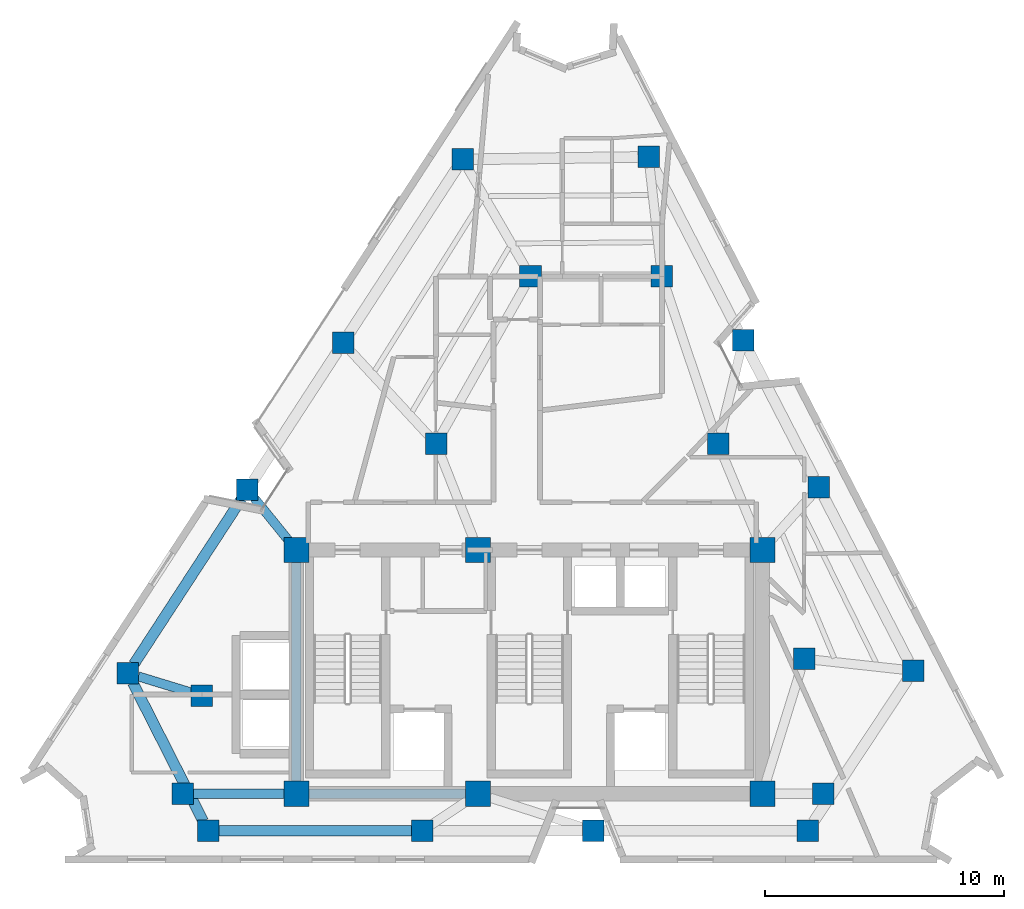
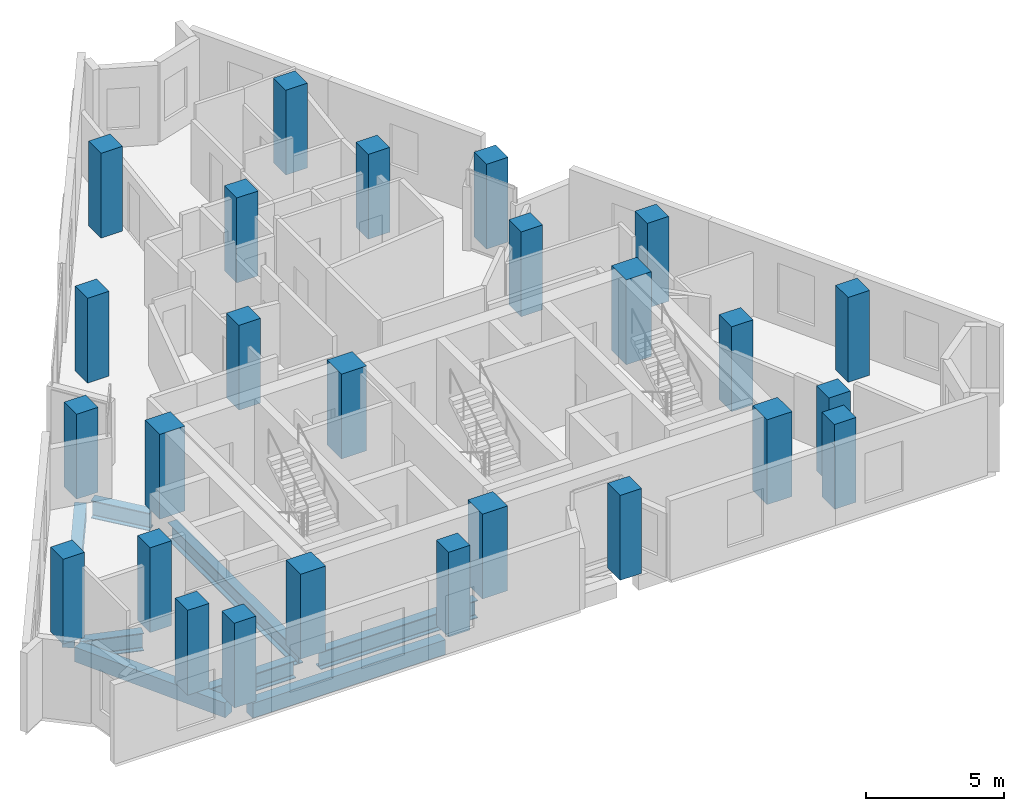
# One storey, part 1 of 9: 26 columns, 8 beams.
"""IFC4 building model written with IfcOpenShell, lengths in metres."""

from ifc_helpers import new_model, si_unit, direction, frame, origin, origin_2d, place, context, subcontext, project, spatial, rectangle, i_section, extrude, material, material_profile, profile_set, type_object, element, save


model = new_model("IFC4")

# Units and contexts
model_context = context("Model", 3, precision=1e-05, world=origin(), true_north=direction((0.0, 1.0)))
body_context = subcontext(model_context, "Body", "Model", "MODEL_VIEW")
ifc_project = project(units=[si_unit("LENGTHUNIT", "METRE"), si_unit("AREAUNIT", "SQUARE_METRE"), si_unit("VOLUMEUNIT", "CUBIC_METRE"), si_unit("PLANEANGLEUNIT", "RADIAN"), si_unit("MASSUNIT", "GRAM", prefix="KILO")], contexts=[model_context])

# Site, building, storey
site_placement = place(None, origin())
site = spatial("IfcSite", under=ifc_project, at=site_placement, CompositionType="ELEMENT")
building_placement = place(site_placement, origin())
building = spatial("IfcBuilding", under=site, at=building_placement, Name="Almagre Mirador Tower", CompositionType="ELEMENT")
storey_placement = place(building_placement, frame((0.0, 0.0, 214.5)))
storey = spatial("IfcBuildingStorey", under=building, at=storey_placement, Name="L55", CompositionType="ELEMENT", Elevation=214.5)

# Columns
ifc_material_1 = material(Name="Concrete C60/75", Category="concrete")
ifc_material_profile_1 = material_profile(ifc_material_1, rectangle(XDim=1.050048828125, YDim=1.050048828125, at=origin_2d()), Name="RC1050X1050")
ifc_profile_set_1 = profile_set([ifc_material_profile_1], Name="Concrete C60/75")
column_type_1 = type_object("IfcColumnType", Name="COL-RC1050", PredefinedType="COLUMN", material=ifc_profile_set_1)
for number, where, z_axis, x_axis, name in (
    (1, (27.550048828125, 4.550048828125, 0.0), (0.0, 0.0, 1.0), (1.0, 0.0, 0.0), "L55 core spine column CC1"),
    (2, (35.14990234375, 4.550048828125, 0.0), (0.0, 0.0, 1.0), (1.0, 0.0, 0.0), "L55 core spine column CC2"),
    (3, (47.050048828125, 4.550048828125, 0.0), (0.0, 0.0, 1.0), (1.0, 0.0, 0.0), "L55 core spine column CC3"),
    (4, (27.550048828125, 14.75, 0.0), (0.0, 0.0, 1.0), (1.0, 0.0, 0.0), "L55 core spine column CC4"),
    (5, (35.14990234375, 14.75, 0.0), (0.0, 0.0, 1.0), (1.0, 0.0, 0.0), "L55 core spine column CC5"),
    (6, (47.050048828125, 14.75, 0.0), (0.0, 0.0, 1.0), (1.0, 0.0, 0.0), "L55 core spine column CC6"),
):
    element("IfcColumn", number, at=place(storey_placement, frame(where, z_axis=z_axis, x_axis=x_axis)), inside=storey, type_object=column_type_1, Name=name, PredefinedType="COLUMN", context=body_context, shape_type="SweptSolid", body=[
        extrude(rectangle(XDim=1.050048828125, YDim=1.050048828125, at=origin_2d()), origin(), (0.0, 0.0, 1.0), 3.75),
    ])
ifc_material_2 = material(Name="Concrete C60/75", Category="concrete")
ifc_material_profile_2 = material_profile(ifc_material_2, rectangle(XDim=0.89990234375, YDim=0.89990234375, at=origin_2d()), Name="RC900X900")
ifc_profile_set_2 = profile_set([ifc_material_profile_2], Name="Concrete C60/75")
column_type_2 = type_object("IfcColumnType", Name="COL-RC900", PredefinedType="COLUMN", material=ifc_profile_set_2)
for number, where, z_axis, x_axis, name in (
    (7, (22.800048828125, 4.550048828125, 0.0), (0.0, 0.0, 1.0), (1.0, 0.0, 0.0), "L55 interior transfer column MC1"),
    (8, (49.60009765625, 4.550048828125, 0.0), (0.0, 0.0, 1.0), (1.0, 0.0, 0.0), "L55 interior transfer column MC2"),
    (9, (48.800048828125, 10.199951171875, 0.0), (0.0, 0.0, 1.0), (1.0, 0.0, 0.0), "L55 interior transfer column MC3"),
    (10, (45.199951171875, 19.199951171875, 0.0), (0.0, 0.0, 1.0), (1.0, 0.0, 0.0), "L55 interior transfer column MC5"),
    (11, (42.85009765625, 26.199951171875, 0.0), (0.0, 0.0, 1.0), (1.0, 0.0, 0.0), "L55 interior transfer column MC6"),
    (12, (37.35009765625, 26.199951171875, 0.0), (0.0, 0.0, 1.0), (1.0, 0.0, 0.0), "L55 interior transfer column MC7"),
    (13, (33.39990234375, 19.199951171875, 0.0), (0.0, 0.0, 1.0), (1.0, 0.0, 0.0), "L55 interior transfer column MC8"),
    (14, (23.60009765625, 8.64990234375, 0.0), (0.0, 0.0, 1.0), (1.0, 0.0, 0.0), "L55 interior transfer column MC10"),
    (15, (23.85595703125, 3.0, 0.0), (0.0, 0.0, 1.0), (1.0, 0.0, 0.0), "L55 perimeter column PC01"),
    (16, (32.81591796875, 3.0, 0.0), (0.0, 0.0, 1.0), (1.0, 0.0, 0.0), "L55 perimeter column PC02"),
    (17, (39.98388671875, 3.0, 0.0), (0.0, 0.0, 1.0), (1.0, 0.0, 0.0), "L55 perimeter column PC03"),
    (18, (48.944091796875, 3.0, 0.0), (0.0, 0.0, 1.0), (1.0, 0.0, 0.0), "L55 perimeter column PC04"),
    (19, (53.376953125, 9.697998046875, 0.0), (0.0, 0.0, 1.0), (1.0, 0.0, 0.0), "L55 perimeter column PC05"),
    (20, (49.4169921875, 17.3779296875, 0.0), (0.0, 0.0, 1.0), (1.0, 0.0, 0.0), "L55 perimeter column PC06"),
    (21, (46.2490234375, 23.52197265625, 0.0), (0.0, 0.0, 1.0), (1.0, 0.0, 0.0), "L55 perimeter column PC07"),
    (22, (42.2890625, 31.201904296875, 0.0), (0.0, 0.0, 1.0), (1.0, 0.0, 0.0), "L55 perimeter column PC08"),
    (23, (34.506103515625, 31.096923828125, 0.0), (0.0, 0.0, 1.0), (1.0, 0.0, 0.0), "L55 perimeter column PC09"),
    (24, (29.506103515625, 23.4169921875, 0.0), (0.0, 0.0, 1.0), (1.0, 0.0, 0.0), "L55 perimeter column PC10"),
    (25, (25.506103515625, 17.27294921875, 0.0), (0.0, 0.0, 1.0), (1.0, 0.0, 0.0), "L55 perimeter column PC11"),
    (26, (20.506103515625, 9.593017578125, 0.0), (0.0, 0.0, 1.0), (1.0, 0.0, 0.0), "L55 perimeter column PC12"),
):
    element("IfcColumn", number, at=place(storey_placement, frame(where, z_axis=z_axis, x_axis=x_axis)), inside=storey, type_object=column_type_2, Name=name, PredefinedType="COLUMN", context=body_context, shape_type="SweptSolid", body=[
        extrude(rectangle(XDim=0.89990234375, YDim=0.89990234375, at=origin_2d()), origin(), (0.0, 0.0, 1.0), 3.75),
    ])

# Beams
ifc_material_3 = material(Name="Precast concrete C50/60", Category="concrete")
ifc_material_profile_3 = material_profile(ifc_material_3, rectangle(XDim=0.449951171875, YDim=0.64990234375, at=origin_2d()), Name="RC450X650")
ifc_profile_set_3 = profile_set([ifc_material_profile_3], Name="Precast concrete C50/60")
beam_type_1 = type_object("IfcBeamType", Name="BM-SPN-RC450X650", PredefinedType="SPANDREL", material=ifc_profile_set_3)
beam_1_placement = place(storey_placement, frame((24.305908203125, 3.0, -0.574951171875), z_axis=(1.0, 0.0, 0.0), x_axis=(0.0, 1.0, 0.0)))
element("IfcBeam", 27, at=beam_1_placement, inside=storey, type_object=beam_type_1, Name="L55 perimeter spandrel beam PC01-PC02", PredefinedType="SPANDREL", context=body_context, shape_type="SweptSolid", body=[
    extrude(rectangle(XDim=0.449951171875, YDim=0.64990234375, at=origin_2d()), origin(), (0.0, 0.0, 1.0), 8.06005859375),
])
beam_2_placement = place(storey_placement, frame((25.260498046875, 16.89599609375, -0.574951171875), z_axis=(-0.545607073801, -0.838041121317, 0.0), x_axis=(0.838041121317, -0.545607073801, 0.0)))
element("IfcBeam", 28, at=beam_2_placement, inside=storey, type_object=beam_type_1, Name="L55 perimeter spandrel beam PC11-PC12", PredefinedType="SPANDREL", context=body_context, shape_type="SweptSolid", body=[
    extrude(rectangle(XDim=0.449951171875, YDim=0.64990234375, at=origin_2d()), origin(), (0.0, 0.0, 1.0), 8.26416015625),
])
beam_3_placement = place(storey_placement, frame((20.709716796875, 9.19189453125, -0.574951171875), z_axis=(0.452992552256, -0.891514300278, 0.0), x_axis=(0.891514300278, 0.452992552256, 0.0)))
element("IfcBeam", 29, at=beam_3_placement, inside=storey, type_object=beam_type_1, Name="L55 perimeter spandrel beam PC12-PC01", PredefinedType="SPANDREL", context=body_context, shape_type="SweptSolid", body=[
    extrude(rectangle(XDim=0.449951171875, YDim=0.64990234375, at=origin_2d()), origin(), (0.0, 0.0, 1.0), 6.495361328125),
])
ifc_material_4 = material(Name="Steel ASTM A992 Grade 50", Category="steel")
ifc_material_profile_4 = material_profile(ifc_material_4, i_section(OverallWidth=0.384033203125, OverallDepth=0.784912109375, WebThickness=0.019775390625, FlangeThickness=0.033447265625, FilletRadius=0.02392578125, at=origin_2d()), Name="W30X211")
ifc_profile_set_4 = profile_set([ifc_material_profile_4], Name="Steel ASTM A992 Grade 50")
beam_type_2 = type_object("IfcBeamType", Name="BM-STL-W30X211", PredefinedType="BEAM", material=ifc_profile_set_4)
beam_4_placement = place(storey_placement, frame((28.074951171875, 4.550048828125, -0.642578125), z_axis=(1.0, 0.0, 0.0), x_axis=(0.0, 1.0, 0.0)))
element("IfcBeam", 30, at=beam_4_placement, inside=storey, type_object=beam_type_2, Name="L55 core tie girder CC1-CC2", PredefinedType="BEAM", context=body_context, shape_type="SweptSolid", body=[
    extrude(i_section(OverallWidth=0.384033203125, OverallDepth=0.784912109375, WebThickness=0.019775390625, FlangeThickness=0.033447265625, FilletRadius=0.02392578125, at=origin_2d()), origin(), (0.0, 0.0, 1.0), 6.550048828125),
])
beam_5_placement = place(storey_placement, frame((27.550048828125, 5.074951171875, -0.642578125), z_axis=(0.0, 1.0, 0.0), x_axis=(-1.0, 0.0, 0.0)))
element("IfcBeam", 31, at=beam_5_placement, inside=storey, type_object=beam_type_2, Name="L55 core tie girder CC1-CC4", PredefinedType="BEAM", context=body_context, shape_type="SweptSolid", body=[
    extrude(i_section(OverallWidth=0.384033203125, OverallDepth=0.784912109375, WebThickness=0.019775390625, FlangeThickness=0.033447265625, FilletRadius=0.02392578125, at=origin_2d()), origin(), (0.0, 0.0, 1.0), 9.150146484375),
])
beam_6_placement = place(storey_placement, frame((23.25, 4.550048828125, -0.642578125), z_axis=(1.0, 0.0, 0.0), x_axis=(0.0, 1.0, 0.0)))
element("IfcBeam", 32, at=beam_6_placement, inside=storey, type_object=beam_type_2, Name="L55 core tie girder MC1-CC1", PredefinedType="BEAM", context=body_context, shape_type="SweptSolid", body=[
    extrude(i_section(OverallWidth=0.384033203125, OverallDepth=0.784912109375, WebThickness=0.019775390625, FlangeThickness=0.033447265625, FilletRadius=0.02392578125, at=origin_2d()), origin(), (0.0, 0.0, 1.0), 3.77490234375),
])
beam_7_placement = place(storey_placement, frame((25.789306640625, 16.92333984375, -0.642578125), z_axis=(0.629479487661, -0.777017100593, 0.0), x_axis=(0.777017100593, 0.629479487661, 0.0)))
element("IfcBeam", 33, at=beam_7_placement, inside=storey, type_object=beam_type_2, Name="L55 radial floor girder PC11-CC4", PredefinedType="BEAM", context=body_context, shape_type="SweptSolid", body=[
    extrude(i_section(OverallWidth=0.384033203125, OverallDepth=0.784912109375, WebThickness=0.019775390625, FlangeThickness=0.033447265625, FilletRadius=0.02392578125, at=origin_2d()), origin(), (0.0, 0.0, 1.0), 2.27197265625),
])
beam_8_placement = place(storey_placement, frame((20.9365234375, 9.4619140625, -0.642578125), z_axis=(0.956544591639, -0.291586083697, 0.0), x_axis=(0.291586083697, 0.956544591639, 0.0)))
element("IfcBeam", 34, at=beam_8_placement, inside=storey, type_object=beam_type_2, Name="L55 radial floor girder PC12-MC10", PredefinedType="BEAM", context=body_context, shape_type="SweptSolid", body=[
    extrude(i_section(OverallWidth=0.384033203125, OverallDepth=0.784912109375, WebThickness=0.019775390625, FlangeThickness=0.033447265625, FilletRadius=0.02392578125, at=origin_2d()), origin(), (0.0, 0.0, 1.0), 2.334228515625),
])

save(model, "model.ifc")
